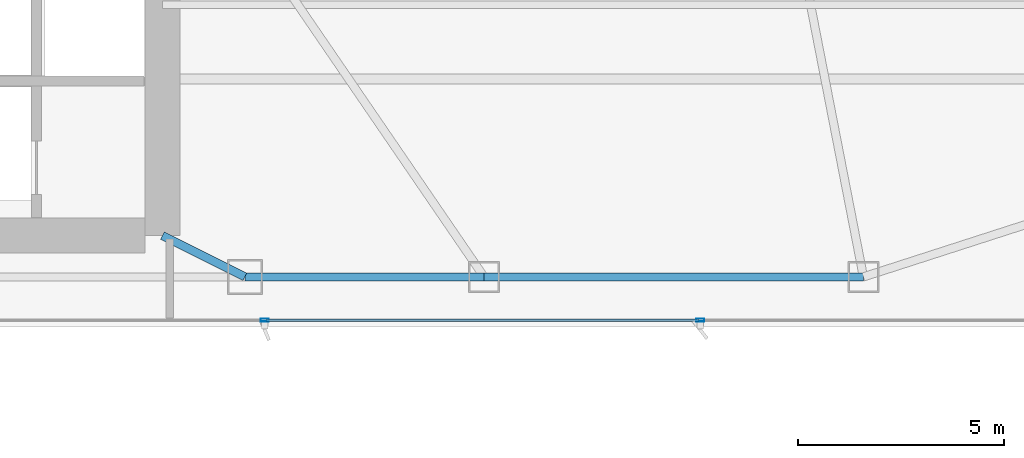
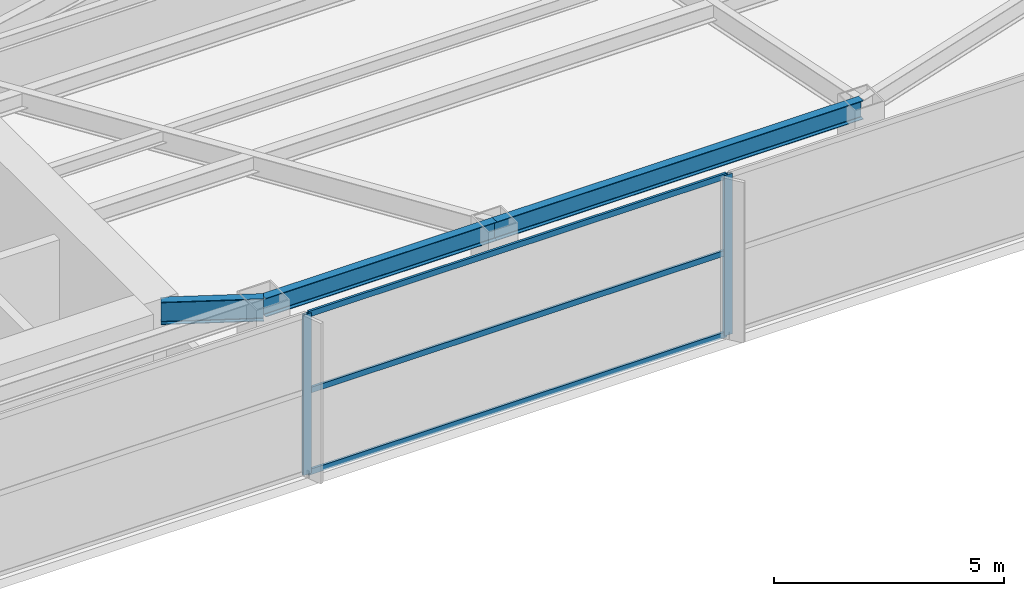
# One storey, part 11 of 26: 5 members, 3 beams, 1 element without a shape of its own.
"""IFC4 building model written with IfcOpenShell, lengths in metres."""

from ifc_helpers import new_model, si_unit, direction, frame, origin, origin_2d, place, context, subcontext, project, spatial, hollow_rectangle, i_section, extrude, material, layer, layer_set, material_profile, profile_set, type_object, element, aggregate, save


model = new_model("IFC4")

# Units and contexts
model_context = context("Model", 3, precision=1e-05, world=origin(), true_north=direction((0.0, 1.0)))
body_context = subcontext(model_context, "Body", "Model", "MODEL_VIEW")
ifc_project = project(units=[si_unit("LENGTHUNIT", "METRE"), si_unit("AREAUNIT", "SQUARE_METRE"), si_unit("VOLUMEUNIT", "CUBIC_METRE"), si_unit("PLANEANGLEUNIT", "RADIAN"), si_unit("MASSUNIT", "GRAM", prefix="KILO")], contexts=[model_context])

# Site, building, storey
site_placement = place(None, origin())
site = spatial("IfcSite", under=ifc_project, at=site_placement, CompositionType="ELEMENT")
building_placement = place(site_placement, origin())
building = spatial("IfcBuilding", under=site, at=building_placement, Name="Calvorn Quay Hotel", CompositionType="ELEMENT")
storey_placement = place(building_placement, frame((0.0, 0.0, 144.0)))
storey = spatial("IfcBuildingStorey", under=building, at=storey_placement, Name="L35", CompositionType="ELEMENT", Elevation=144.0)

# Beams
ifc_material_1 = material(Name="Steel Q355B", Category="steel")
ifc_material_profile_1 = material_profile(ifc_material_1, i_section(OverallWidth=0.199951171875, OverallDepth=0.60009765625, WebThickness=0.010986328125, FlangeThickness=0.01708984375, FilletRadius=0.01806640625, at=origin_2d()), Name="HN600x200x11x17")
ifc_profile_set_1 = profile_set([ifc_material_profile_1], Name="Steel Q355B")
beam_type_1 = type_object("IfcBeamType", Name="BM-GIRD-TYP", PredefinedType="BEAM", material=ifc_profile_set_1)
beam_1_placement = place(storey_placement, frame((34.39990234375, 3.60009765625, 3.93994140625), z_axis=(-0.894427191, 0.4472135955, 0.0), x_axis=(-0.4472135955, -0.894427191, 0.0)))
element("IfcBeam", 1, at=beam_1_placement, inside=storey, type_object=beam_type_1, Name="Beam BG-L35-S3", PredefinedType="BEAM", context=body_context, shape_type="SweptSolid", body=[
    extrude(i_section(OverallWidth=0.199951171875, OverallDepth=0.60009765625, WebThickness=0.010986328125, FlangeThickness=0.01708984375, FilletRadius=0.01806640625, at=origin_2d()), origin(), (0.0, 0.0, 1.0), 2.236083984375),
])
ifc_material_2 = material(Name="Steel Q355B", Category="steel")
ifc_material_profile_2 = material_profile(ifc_material_2, i_section(OverallWidth=0.199951171875, OverallDepth=0.5, WebThickness=0.010009765625, FlangeThickness=0.01611328125, FilletRadius=0.01611328125, at=origin_2d()), Name="HN500x200x10x16")
ifc_profile_set_2 = profile_set([ifc_material_profile_2], Name="Steel Q355B")
beam_type_2 = type_object("IfcBeamType", Name="BM-SPANDREL-Z1", PredefinedType="SPANDREL", material=ifc_profile_set_2)
beam_2_placement = place(storey_placement, frame((34.39990234375, 3.60009765625, 3.989990234375), z_axis=(1.0, 0.0, 0.0), x_axis=(0.0, 1.0, 0.0)))
element("IfcBeam", 2, at=beam_2_placement, inside=storey, type_object=beam_type_2, Name="Beam BSP-L35-S4", PredefinedType="SPANDREL", context=body_context, shape_type="SweptSolid", body=[
    extrude(i_section(OverallWidth=0.199951171875, OverallDepth=0.5, WebThickness=0.010009765625, FlangeThickness=0.01611328125, FilletRadius=0.01611328125, at=origin_2d()), origin(), (0.0, 0.0, 1.0), 5.800048828125),
])
beam_3_placement = place(storey_placement, frame((40.199951171875, 3.60009765625, 3.989990234375), z_axis=(1.0, 0.0, 0.0), x_axis=(0.0, 1.0, 0.0)))
element("IfcBeam", 3, at=beam_3_placement, inside=storey, type_object=beam_type_2, Name="Beam BSP-L35-S5", PredefinedType="SPANDREL", context=body_context, shape_type="SweptSolid", body=[
    extrude(i_section(OverallWidth=0.199951171875, OverallDepth=0.5, WebThickness=0.010009765625, FlangeThickness=0.01611328125, FilletRadius=0.01611328125, at=origin_2d()), origin(), (0.0, 0.0, 1.0), 9.199951171875),
])

# Curtain wall, members
ifc_material_3 = material(Name="Pale Anodised Aluminium and Low-E Glass", Category="aluminium")
ifc_layer = layer(ifc_material_3, 0.219970703125)
ifc_layer_set = layer_set([ifc_layer], Name="CW-SYS-Z2")
curtain_wall_type = type_object("IfcCurtainWallType", Name="CW-SYS-Z2", PredefinedType="NOTDEFINED", material=ifc_layer_set)
curtain_wall_placement = place(storey_placement, origin())
curtain_wall = element("IfcCurtainWall", 4, at=curtain_wall_placement, inside=storey, type_object=curtain_wall_type, Name="Tower South Waterfront Curtain Wall (L35)", PredefinedType="NOTDEFINED")
ifc_material_4 = material(Name="Pale Anodised Aluminium 6063-T6", Category="aluminium")
ifc_material_profile_3 = material_profile(ifc_material_4, hollow_rectangle(XDim=0.070068359375, YDim=0.199951171875, WallThickness=0.00390625, at=origin_2d()), Name="ALU-M200x70x4")
ifc_profile_set_3 = profile_set([ifc_material_profile_3], Name="Pale Anodised Aluminium 6063-T6")
member_type_1 = type_object("IfcMemberType", Name="CW-SYS-Z2-MUL", PredefinedType="MULLION", material=ifc_profile_set_3)
member_1_placement = place(storey_placement, frame((34.8798828125, 2.550048828125, 0.0), z_axis=(0.0, 0.0, 1.0), x_axis=(0.0, 1.0, 0.0)))
member_1 = element("IfcMember", 5, at=member_1_placement, type_object=member_type_1, Name="CW-L35-S mullion 4", PredefinedType="MULLION", context=body_context, shape_type="SweptSolid", body=[
    extrude(hollow_rectangle(XDim=0.070068359375, YDim=0.199951171875, WallThickness=0.00390625, at=origin_2d()), origin(), (0.0, 0.0, 1.0), 4.260009765625),
])
member_2_placement = place(storey_placement, frame((45.43994140625, 2.550048828125, 0.0), z_axis=(0.0, 0.0, 1.0), x_axis=(0.0, 1.0, 0.0)))
member_2 = element("IfcMember", 6, at=member_2_placement, type_object=member_type_1, Name="CW-L35-S mullion 5", PredefinedType="MULLION", context=body_context, shape_type="SweptSolid", body=[
    extrude(hollow_rectangle(XDim=0.070068359375, YDim=0.199951171875, WallThickness=0.00390625, at=origin_2d()), origin(), (0.0, 0.0, 1.0), 4.260009765625),
])
ifc_material_5 = material(Name="Pale Anodised Aluminium 6063-T6", Category="aluminium")
ifc_material_profile_4 = material_profile(ifc_material_5, hollow_rectangle(XDim=0.06005859375, YDim=0.14990234375, WallThickness=0.00341796875, at=origin_2d()), Name="ALU-T150x60x3.5")
ifc_profile_set_4 = profile_set([ifc_material_profile_4], Name="Pale Anodised Aluminium 6063-T6")
member_type_2 = type_object("IfcMemberType", Name="CW-SYS-Z2-TRN", PredefinedType="USERDEFINED", material=ifc_profile_set_4)
member_3_placement = place(storey_placement, frame((34.909912109375, 2.550048828125, 0.030029296875), z_axis=(1.0, 0.0, 0.0), x_axis=(0.0, 1.0, 0.0)))
member_3 = element("IfcMember", 7, at=member_3_placement, type_object=member_type_2, Name="CW-L35-S transom 4.1", ObjectType="TRANSOM", PredefinedType="USERDEFINED", context=body_context, shape_type="SweptSolid", body=[
    extrude(hollow_rectangle(XDim=0.06005859375, YDim=0.14990234375, WallThickness=0.00341796875, at=origin_2d()), origin(), (0.0, 0.0, 1.0), 10.5),
])
member_4_placement = place(storey_placement, frame((34.909912109375, 2.550048828125, 2.199951171875), z_axis=(1.0, 0.0, 0.0), x_axis=(0.0, 1.0, 0.0)))
member_4 = element("IfcMember", 8, at=member_4_placement, type_object=member_type_2, Name="CW-L35-S transom 4.2", ObjectType="TRANSOM", PredefinedType="USERDEFINED", context=body_context, shape_type="SweptSolid", body=[
    extrude(hollow_rectangle(XDim=0.06005859375, YDim=0.14990234375, WallThickness=0.00341796875, at=origin_2d()), origin(), (0.0, 0.0, 1.0), 10.5),
])
member_5_placement = place(storey_placement, frame((34.909912109375, 2.550048828125, 4.22998046875), z_axis=(1.0, 0.0, 0.0), x_axis=(0.0, 1.0, 0.0)))
member_5 = element("IfcMember", 9, at=member_5_placement, type_object=member_type_2, Name="CW-L35-S transom 4.3", ObjectType="TRANSOM", PredefinedType="USERDEFINED", context=body_context, shape_type="SweptSolid", body=[
    extrude(hollow_rectangle(XDim=0.06005859375, YDim=0.14990234375, WallThickness=0.00341796875, at=origin_2d()), origin(), (0.0, 0.0, 1.0), 10.5),
])
aggregate(curtain_wall, [member_1, member_2, member_3, member_4, member_5])

save(model, "model.ifc")
